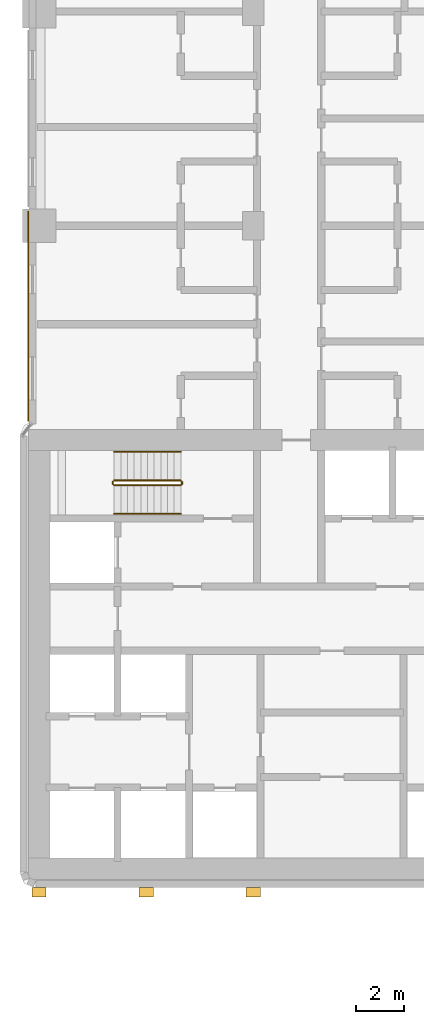
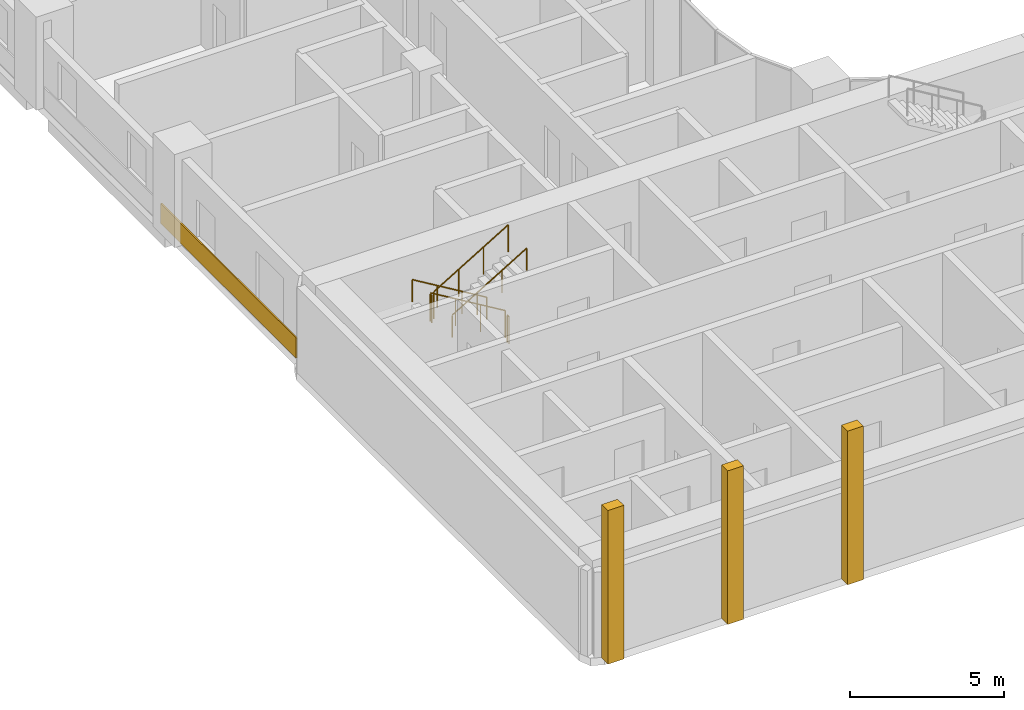
# One storey, part 25 of 30: 6 railings, 4 coverings.
"""IFC4 building model written with IfcOpenShell, lengths in metres."""

from ifc_helpers import new_model, si_unit, direction, frame, origin, origin_2d, place, context, subcontext, project, spatial, rectangle, circle, extrude, material, layer, layer_set, type_object, element, save


model = new_model("IFC4")

# Units and contexts
model_context = context("Model", 3, precision=1e-05, world=origin(), true_north=direction((0.0, 1.0)))
body_context = subcontext(model_context, "Body", "Model", "MODEL_VIEW")
ifc_project = project(units=[si_unit("LENGTHUNIT", "METRE"), si_unit("AREAUNIT", "SQUARE_METRE"), si_unit("VOLUMEUNIT", "CUBIC_METRE"), si_unit("PLANEANGLEUNIT", "RADIAN"), si_unit("MASSUNIT", "GRAM", prefix="KILO")], contexts=[model_context])

# Site, building, storey
site_placement = place(None, origin())
site = spatial("IfcSite", under=ifc_project, at=site_placement, CompositionType="ELEMENT")
building_placement = place(site_placement, origin())
building = spatial("IfcBuilding", under=site, at=building_placement, Name="Ogive Portal Towers", CompositionType="ELEMENT")
storey_placement = place(building_placement, frame((0.0, 0.0, 37.199951171875)))
storey = spatial("IfcBuildingStorey", under=building, at=storey_placement, Name="L07", CompositionType="ELEMENT", Elevation=37.199951171875)

# Railings
ifc_material_1 = material(Name="Stainless steel balustrade", Category="steel")
railing_type_1 = type_object("IfcRailingType", Name="INT-GUARD", PredefinedType="GUARDRAIL", material=ifc_material_1)
railing_1_placement = place(storey_placement, frame((37.449951171875, 37.800048828125, 0.168212890625)))
element("IfcRailing", 1, at=railing_1_placement, inside=storey, type_object=railing_type_1, Name="L07 ST-A1 stair guard 1", PredefinedType="GUARDRAIL", context=body_context, shape_type="SweptSolid", body=[
    extrude(circle(Radius=0.02392578125, at=origin_2d()), frame((0.0, 0.0, 1.076171875), z_axis=(-0.857242210791, 0.0, 0.514913383045), x_axis=(0.0, -1.0, 0.0)), (0.0, 0.0, 1.0), 3.266357421875),
    extrude(circle(Radius=0.02099609375, at=origin_2d()), origin(), (0.0, 0.0, 1.0), 1.052001953125),
    extrude(circle(Radius=0.02099609375, at=origin_2d()), frame((-0.933349609375, 0.0, 0.560546875)), (0.0, 0.0, 1.0), 1.052001953125),
    extrude(circle(Radius=0.02099609375, at=origin_2d()), frame((-1.86669921875, 0.0, 1.121337890625)), (0.0, 0.0, 1.0), 1.052001953125),
    extrude(circle(Radius=0.02099609375, at=origin_2d()), frame((-2.800048828125, 0.0, 1.681884765625)), (0.0, 0.0, 1.0), 1.052001953125),
])
railing_2_placement = place(storey_placement, frame((34.60009765625, 37.75, 1.85009765625)))
element("IfcRailing", 2, at=railing_2_placement, inside=storey, type_object=railing_type_1, Name="L07 ST-A1 stair guard 2", PredefinedType="GUARDRAIL", context=body_context, shape_type="SweptSolid", body=[
    extrude(circle(Radius=0.02392578125, at=origin_2d()), frame((0.0, 0.0, 1.076171875), z_axis=(0.0, -1.0, 0.0), x_axis=(1.0, 0.0, 0.0)), (0.0, 0.0, 1.0), 0.10009765625),
    extrude(circle(Radius=0.02099609375, at=origin_2d()), origin(), (0.0, 0.0, 1.0), 1.052001953125),
    extrude(circle(Radius=0.02099609375, at=origin_2d()), frame((0.0, -0.10009765625, 0.0)), (0.0, 0.0, 1.0), 1.052001953125),
])
railing_3_placement = place(storey_placement, frame((34.64990234375, 37.60009765625, 2.018310546875)))
element("IfcRailing", 3, at=railing_3_placement, inside=storey, type_object=railing_type_1, Name="L07 ST-A1 stair guard 3", PredefinedType="GUARDRAIL", context=body_context, shape_type="SweptSolid", body=[
    extrude(circle(Radius=0.02392578125, at=origin_2d()), frame((0.0, 0.0, 1.076171875), z_axis=(0.857275202839, 0.0, 0.514858452973), x_axis=(0.0, 1.0, 0.0)), (0.0, 0.0, 1.0), 3.26611328125),
    extrude(circle(Radius=0.02099609375, at=origin_2d()), origin(), (0.0, 0.0, 1.0), 1.052001953125),
    extrude(circle(Radius=0.02099609375, at=origin_2d()), frame((0.933349609375, 0.0, 0.560546875)), (0.0, 0.0, 1.0), 1.052001953125),
    extrude(circle(Radius=0.02099609375, at=origin_2d()), frame((1.86669921875, 0.0, 1.12109375)), (0.0, 0.0, 1.0), 1.052001953125),
    extrude(circle(Radius=0.02099609375, at=origin_2d()), frame((2.800048828125, 0.0, 1.681640625)), (0.0, 0.0, 1.0), 1.052001953125),
])
railing_4_placement = place(storey_placement, frame((37.5, 37.75, 0.0)))
element("IfcRailing", 4, at=railing_4_placement, inside=storey, type_object=railing_type_1, Name="L07 ST-A1 stair guard 4", PredefinedType="GUARDRAIL", context=body_context, shape_type="SweptSolid", body=[
    extrude(circle(Radius=0.02392578125, at=origin_2d()), frame((0.0, 0.0, 1.076171875), z_axis=(0.0, -1.0, 0.0), x_axis=(1.0, 0.0, 0.0)), (0.0, 0.0, 1.0), 0.10009765625),
    extrude(circle(Radius=0.02099609375, at=origin_2d()), origin(), (0.0, 0.0, 1.0), 1.052001953125),
    extrude(circle(Radius=0.02099609375, at=origin_2d()), frame((0.0, -0.10009765625, 0.0)), (0.0, 0.0, 1.0), 1.052001953125),
])
ifc_material_2 = material(Name="Stainless steel handrail", Category="steel")
railing_type_2 = type_object("IfcRailingType", Name="INT-HANDRAIL", PredefinedType="HANDRAIL", material=ifc_material_2)
railing_5_placement = place(storey_placement, frame((37.449951171875, 39.0, 0.168212890625)))
element("IfcRailing", 5, at=railing_5_placement, inside=storey, type_object=railing_type_2, Name="L07 ST-A1 stair handrail 1", PredefinedType="HANDRAIL", context=body_context, shape_type="SweptSolid", body=[
    extrude(circle(Radius=0.02392578125, at=origin_2d()), frame((0.0, 0.0, 0.8759765625), z_axis=(-0.857242210791, 0.0, 0.514913383045), x_axis=(0.0, -1.0, 0.0)), (0.0, 0.0, 1.0), 3.266357421875),
    extrude(circle(Radius=0.02099609375, at=origin_2d()), origin(), (0.0, 0.0, 1.0), 0.851806640625),
    extrude(circle(Radius=0.02099609375, at=origin_2d()), frame((-0.933349609375, 0.0, 0.560546875)), (0.0, 0.0, 1.0), 0.851806640625),
    extrude(circle(Radius=0.02099609375, at=origin_2d()), frame((-1.86669921875, 0.0, 1.121337890625)), (0.0, 0.0, 1.0), 0.851806640625),
    extrude(circle(Radius=0.02099609375, at=origin_2d()), frame((-2.800048828125, 0.0, 1.681884765625)), (0.0, 0.0, 1.0), 0.851806640625),
])
railing_6_placement = place(storey_placement, frame((34.64990234375, 36.39990234375, 2.018310546875)))
element("IfcRailing", 6, at=railing_6_placement, inside=storey, type_object=railing_type_2, Name="L07 ST-A1 stair handrail 2", PredefinedType="HANDRAIL", context=body_context, shape_type="SweptSolid", body=[
    extrude(circle(Radius=0.02392578125, at=origin_2d()), frame((0.0, 0.0, 0.8759765625), z_axis=(0.857275202839, 0.0, 0.514858452973), x_axis=(0.0, 1.0, 0.0)), (0.0, 0.0, 1.0), 3.26611328125),
    extrude(circle(Radius=0.02099609375, at=origin_2d()), origin(), (0.0, 0.0, 1.0), 0.851806640625),
    extrude(circle(Radius=0.02099609375, at=origin_2d()), frame((0.933349609375, 0.0, 0.560546875)), (0.0, 0.0, 1.0), 0.851806640625),
    extrude(circle(Radius=0.02099609375, at=origin_2d()), frame((1.86669921875, 0.0, 1.12109375)), (0.0, 0.0, 1.0), 0.851806640625),
    extrude(circle(Radius=0.02099609375, at=origin_2d()), frame((2.800048828125, 0.0, 1.681640625)), (0.0, 0.0, 1.0), 0.851806640625),
])

# Coverings
ifc_material_3 = material(Name="Limestone cladding on lightweight block wall", Category="masonry")
ifc_layer_1 = layer(ifc_material_3, 0.050048828125)
ifc_layer_set_1 = layer_set([ifc_layer_1], Name="SCREEN PERFORATED STONE")
covering_type_1 = type_object("IfcCoveringType", Name="SCREEN PERFORATED STONE", PredefinedType="CLADDING", material=ifc_layer_set_1)
covering_placement = place(storey_placement, frame((31.050048828125, 44.690185546875, 0.10009765625), z_axis=(0.0, 0.0, 1.0), x_axis=(0.0, -1.0, 0.0)))
element("IfcCovering", 7, at=covering_placement, inside=storey, type_object=covering_type_1, Name="Tracery screen", PredefinedType="CLADDING", context=body_context, shape_type="SweptSolid", body=[
    extrude(rectangle(XDim=8.819580078125, YDim=0.050048828125, at=origin_2d()), origin(), (0.0, 0.0, 1.0), 0.800048828125),
])
ifc_layer_2 = layer(ifc_material_3, 0.39990234375)
ifc_layer_set_2 = layer_set([ifc_layer_2], Name="SPINE PIER STONE")
covering_type_2 = type_object("IfcCoveringType", Name="SPINE PIER STONE", PredefinedType="CLADDING", material=ifc_layer_set_2)
for number, where, z_axis, x_axis, name in (
    (8, (31.5, 20.5, 0.0), (0.0, 0.0, 1.0), (1.0, 0.0, 0.0), "SPINE PIER"),
    (9, (36.0, 20.5, 0.0), (0.0, 0.0, 1.0), (1.0, 0.0, 0.0), "SPINE PIER"),
    (10, (40.5, 20.5, 0.0), (0.0, 0.0, 1.0), (1.0, 0.0, 0.0), "SPINE PIER"),
):
    element("IfcCovering", number, at=place(storey_placement, frame(where, z_axis=z_axis, x_axis=x_axis)), inside=storey, type_object=covering_type_2, Name=name, PredefinedType="CLADDING", context=body_context, shape_type="SweptSolid", body=[
        extrude(rectangle(XDim=0.60009765625, YDim=0.39990234375, at=origin_2d()), origin(), (0.0, 0.0, 1.0), 6.10009765625),
    ])

save(model, "model.ifc")
